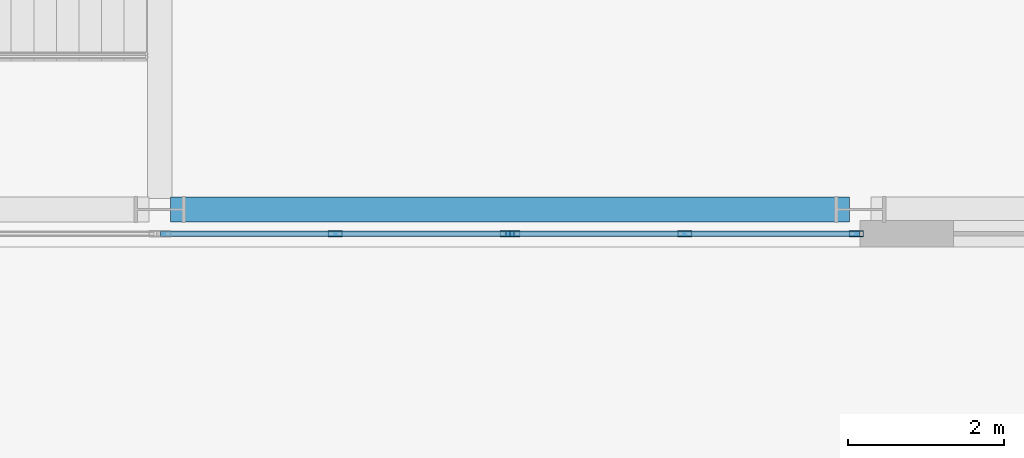
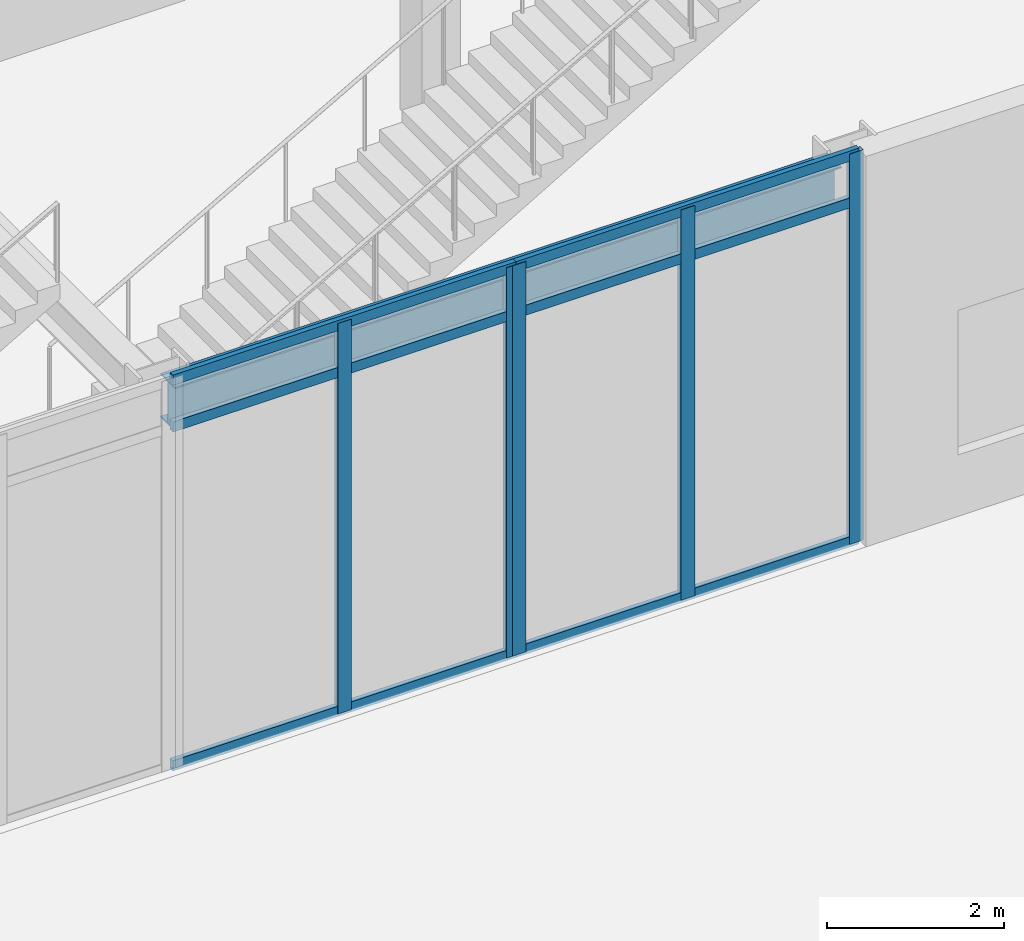
# One storey, part 52 of 94: 11 members, 1 beam, 2 elements without a shape of their own.
"""IFC4 building model written with IfcOpenShell, lengths in metres."""

from ifc_helpers import new_model, si_unit, direction, frame, origin, origin_2d, place, context, subcontext, project, spatial, hollow_rectangle, i_section, extrude, material, layer, layer_set, material_profile, profile_set, type_object, element, aggregate, save


model = new_model("IFC4")

# Units and contexts
model_context = context("Model", 3, precision=1e-05, world=origin(), true_north=direction((0.0, 1.0)))
body_context = subcontext(model_context, "Body", "Model", "MODEL_VIEW")
ifc_project = project(units=[si_unit("LENGTHUNIT", "METRE"), si_unit("AREAUNIT", "SQUARE_METRE"), si_unit("VOLUMEUNIT", "CUBIC_METRE"), si_unit("PLANEANGLEUNIT", "RADIAN"), si_unit("MASSUNIT", "GRAM", prefix="KILO")], contexts=[model_context])

# Site, building, storey
site_placement = place(None, origin())
site = spatial("IfcSite", under=ifc_project, at=site_placement, CompositionType="ELEMENT")
building_placement = place(site_placement, origin())
building = spatial("IfcBuilding", under=site, at=building_placement, Name="Sollismere Congress Hotel", CompositionType="ELEMENT")
storey_placement = place(building_placement, origin())
storey = spatial("IfcBuildingStorey", under=building, at=storey_placement, Name="L00", CompositionType="ELEMENT", Elevation=0.0)

# Beam
ifc_material_1 = material(Name="Steel ASTM A992 Grade 50", Category="steel")
ifc_material_profile_1 = material_profile(ifc_material_1, i_section(OverallWidth=0.324951171875, OverallDepth=0.612060546875, WebThickness=0.0126953125, FlangeThickness=0.01904296875, at=origin_2d()), Name="W24X104")
ifc_profile_set_1 = profile_set([ifc_material_profile_1], Name="Steel ASTM A992 Grade 50")
beam_type = type_object("IfcBeamType", Name="BM-G24", PredefinedType="BEAM", material=ifc_profile_set_1)
beam_placement = place(storey_placement, frame((94.139892578125, 66.800048828125, 4.80908203125), z_axis=(1.0, 0.0, 0.0), x_axis=(0.0, 1.0, 0.0)))
element("IfcBeam", 1, at=beam_placement, inside=storey, type_object=beam_type, Name="Beam BM-L00-1193", PredefinedType="BEAM", context=body_context, shape_type="SweptSolid", body=[
    extrude(i_section(OverallWidth=0.324951171875, OverallDepth=0.612060546875, WebThickness=0.0126953125, FlangeThickness=0.01904296875, at=origin_2d()), origin(), (0.0, 0.0, 1.0), 8.72021484375),
])

# Curtain wall, members
ifc_material_2 = material(Name="Anodized Bronze Curtain Wall & Low-E Triple Glazing", Category="glass")
ifc_layer = layer(ifc_material_2, 0.199951171875, Name="Anodized Bronze Curtain Wall & Low-E Triple Glazing")
ifc_layer_set = layer_set([ifc_layer], Name="Anodized Bronze Curtain Wall & Low-E Triple Glazing")
curtain_wall_type = type_object("IfcCurtainWallType", Name="CW-GLZ36", PredefinedType="USERDEFINED", material=ifc_layer_set)
curtain_wall_1_placement = place(storey_placement, origin())
curtain_wall_1 = element("IfcCurtainWall", 2, at=curtain_wall_1_placement, inside=storey, type_object=curtain_wall_type, Name="Unitised curtain wall CW-L00-079", ObjectType="UNITISED CURTAIN WALL", PredefinedType="USERDEFINED")
ifc_material_3 = material(Name="Anodized Aluminum 6063-T6", Category="aluminium")
ifc_material_profile_2 = material_profile(ifc_material_3, hollow_rectangle(XDim=0.074951171875, YDim=0.179931640625, WallThickness=0.0048828125, at=origin_2d()), Name="ALU180X75X5")
ifc_profile_set_2 = profile_set([ifc_material_profile_2], Name="Anodized Aluminum 6063-T6")
member_type_1 = type_object("IfcMemberType", Name="ML-CW180", PredefinedType="MULLION", material=ifc_profile_set_2)
member_1_placement = place(storey_placement, frame((96.2548828125, 66.489990234375, 0.0), z_axis=(0.0, 0.0, 1.0), x_axis=(0.0, 1.0, 0.0)))
member_1 = element("IfcMember", 3, at=member_1_placement, type_object=member_type_1, Name="CWL-CW-L00-079-ML02", PredefinedType="MULLION", context=body_context, shape_type="SweptSolid", body=[
    extrude(hollow_rectangle(XDim=0.074951171875, YDim=0.179931640625, WallThickness=0.0048828125, at=origin_2d()), origin(), (0.0, 0.0, 1.0), 5.39990234375),
])
member_2_placement = place(storey_placement, frame((98.4619140625, 66.489990234375, 0.0), z_axis=(0.0, 0.0, 1.0), x_axis=(0.0, 1.0, 0.0)))
member_2 = element("IfcMember", 4, at=member_2_placement, type_object=member_type_1, Name="CWL-CW-L00-079-ML03", PredefinedType="MULLION", context=body_context, shape_type="SweptSolid", body=[
    extrude(hollow_rectangle(XDim=0.074951171875, YDim=0.179931640625, WallThickness=0.0048828125, at=origin_2d()), origin(), (0.0, 0.0, 1.0), 5.39990234375),
])

curtain_wall_2_placement = place(storey_placement, origin())
curtain_wall_2 = element("IfcCurtainWall", 5, at=curtain_wall_2_placement, inside=storey, type_object=curtain_wall_type, Name="Unitised curtain wall CW-L00-080", ObjectType="UNITISED CURTAIN WALL", PredefinedType="USERDEFINED")
member_3_placement = place(storey_placement, frame((98.5380859375, 66.489990234375, 0.0), z_axis=(0.0, 0.0, 1.0), x_axis=(0.0, 1.0, 0.0)))
member_3 = element("IfcMember", 6, at=member_3_placement, type_object=member_type_1, Name="CWL-CW-L00-080-ML01", PredefinedType="MULLION", context=body_context, shape_type="SweptSolid", body=[
    extrude(hollow_rectangle(XDim=0.074951171875, YDim=0.179931640625, WallThickness=0.0048828125, at=origin_2d()), origin(), (0.0, 0.0, 1.0), 5.39990234375),
])
member_4_placement = place(storey_placement, frame((100.7451171875, 66.489990234375, 0.0), z_axis=(0.0, 0.0, 1.0), x_axis=(0.0, 1.0, 0.0)))
member_4 = element("IfcMember", 7, at=member_4_placement, type_object=member_type_1, Name="CWL-CW-L00-080-ML02", PredefinedType="MULLION", context=body_context, shape_type="SweptSolid", body=[
    extrude(hollow_rectangle(XDim=0.074951171875, YDim=0.179931640625, WallThickness=0.0048828125, at=origin_2d()), origin(), (0.0, 0.0, 1.0), 5.39990234375),
])
member_5_placement = place(storey_placement, frame((102.951904296875, 66.489990234375, 0.0), z_axis=(0.0, 0.0, 1.0), x_axis=(0.0, 1.0, 0.0)))
member_5 = element("IfcMember", 8, at=member_5_placement, type_object=member_type_1, Name="CWL-CW-L00-080-ML03", PredefinedType="MULLION", context=body_context, shape_type="SweptSolid", body=[
    extrude(hollow_rectangle(XDim=0.074951171875, YDim=0.179931640625, WallThickness=0.0048828125, at=origin_2d()), origin(), (0.0, 0.0, 1.0), 5.39990234375),
])

# Member
ifc_material_profile_3 = material_profile(ifc_material_3, hollow_rectangle(XDim=0.06494140625, YDim=0.139892578125, WallThickness=0.00390625, at=origin_2d()), Name="ALU140X65X4")
ifc_profile_set_3 = profile_set([ifc_material_profile_3], Name="Anodized Aluminum 6063-T6")
member_type_2 = type_object("IfcMemberType", Name="TR-CW150", PredefinedType="MEMBER", material=ifc_profile_set_3)
member_6_placement = place(storey_placement, frame((94.010009765625, 66.489990234375, 0.032470703125), z_axis=(1.0, 0.0, 0.0), x_axis=(0.0, 1.0, 0.0)))
member_6 = element("IfcMember", 9, at=member_6_placement, type_object=member_type_2, Name="CWL-CW-L00-079-TR1", PredefinedType="MEMBER", context=body_context, shape_type="SweptSolid", body=[
    extrude(hollow_rectangle(XDim=0.06494140625, YDim=0.139892578125, WallThickness=0.00390625, at=origin_2d()), origin(), (0.0, 0.0, 1.0), 4.489990234375),
])

member_7_placement = place(storey_placement, frame((94.010009765625, 66.489990234375, 4.719970703125), z_axis=(1.0, 0.0, 0.0), x_axis=(0.0, 1.0, 0.0)))
member_7 = element("IfcMember", 10, at=member_7_placement, type_object=member_type_2, Name="CWL-CW-L00-079-TR2", PredefinedType="MEMBER", context=body_context, shape_type="SweptSolid", body=[
    extrude(hollow_rectangle(XDim=0.06494140625, YDim=0.139892578125, WallThickness=0.00390625, at=origin_2d()), origin(), (0.0, 0.0, 1.0), 4.489990234375),
])

member_8_placement = place(storey_placement, frame((94.010009765625, 66.489990234375, 5.367431640625), z_axis=(1.0, 0.0, 0.0), x_axis=(0.0, 1.0, 0.0)))
member_8 = element("IfcMember", 11, at=member_8_placement, type_object=member_type_2, Name="CWL-CW-L00-079-TR3", PredefinedType="MEMBER", context=body_context, shape_type="SweptSolid", body=[
    extrude(hollow_rectangle(XDim=0.06494140625, YDim=0.139892578125, WallThickness=0.00390625, at=origin_2d()), origin(), (0.0, 0.0, 1.0), 4.489990234375),
])

aggregate(curtain_wall_1, [member_1, member_2, member_6, member_7, member_8])

member_9_placement = place(storey_placement, frame((98.5, 66.489990234375, 0.032470703125), z_axis=(1.0, 0.0, 0.0), x_axis=(0.0, 1.0, 0.0)))
member_9 = element("IfcMember", 12, at=member_9_placement, type_object=member_type_2, Name="CWL-CW-L00-080-TR1", PredefinedType="MEMBER", context=body_context, shape_type="SweptSolid", body=[
    extrude(hollow_rectangle(XDim=0.06494140625, YDim=0.139892578125, WallThickness=0.00390625, at=origin_2d()), origin(), (0.0, 0.0, 1.0), 4.489990234375),
])

member_10_placement = place(storey_placement, frame((98.5, 66.489990234375, 4.719970703125), z_axis=(1.0, 0.0, 0.0), x_axis=(0.0, 1.0, 0.0)))
member_10 = element("IfcMember", 13, at=member_10_placement, type_object=member_type_2, Name="CWL-CW-L00-080-TR2", PredefinedType="MEMBER", context=body_context, shape_type="SweptSolid", body=[
    extrude(hollow_rectangle(XDim=0.06494140625, YDim=0.139892578125, WallThickness=0.00390625, at=origin_2d()), origin(), (0.0, 0.0, 1.0), 4.489990234375),
])

member_11_placement = place(storey_placement, frame((98.5, 66.489990234375, 5.367431640625), z_axis=(1.0, 0.0, 0.0), x_axis=(0.0, 1.0, 0.0)))
member_11 = element("IfcMember", 14, at=member_11_placement, type_object=member_type_2, Name="CWL-CW-L00-080-TR3", PredefinedType="MEMBER", context=body_context, shape_type="SweptSolid", body=[
    extrude(hollow_rectangle(XDim=0.06494140625, YDim=0.139892578125, WallThickness=0.00390625, at=origin_2d()), origin(), (0.0, 0.0, 1.0), 4.489990234375),
])

aggregate(curtain_wall_2, [member_3, member_4, member_5, member_9, member_10, member_11])

save(model, "model.ifc")
